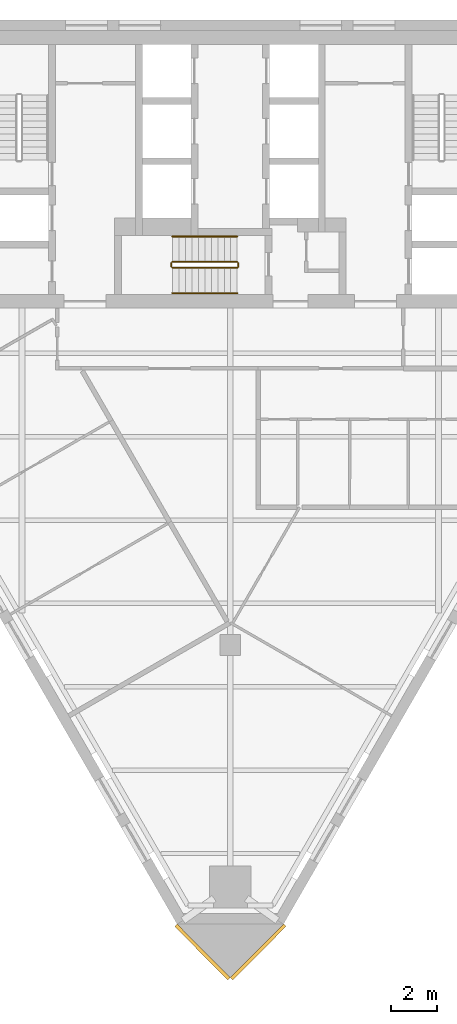
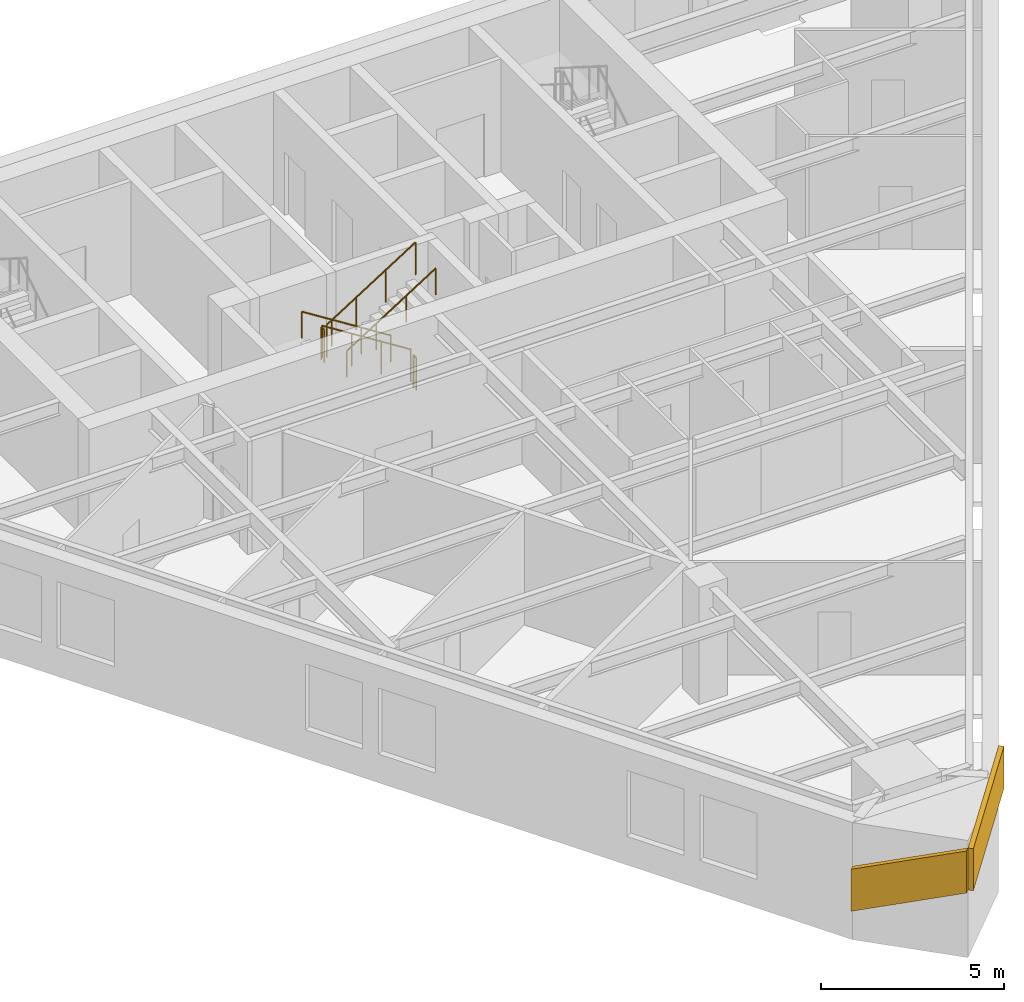
# One storey, part 6 of 7: 6 railings, 2 coverings.
"""IFC4 building model written with IfcOpenShell, lengths in metres."""

from ifc_helpers import new_model, si_unit, direction, frame, origin, origin_2d, place, context, subcontext, project, spatial, polyline, circle, outline, extrude, material, layer, layer_set, type_object, element, save


model = new_model("IFC4")

# Units and contexts
model_context = context("Model", 3, precision=1e-05, world=origin(), true_north=direction((0.0, 1.0)))
body_context = subcontext(model_context, "Body", "Model", "MODEL_VIEW")
ifc_project = project(units=[si_unit("LENGTHUNIT", "METRE"), si_unit("AREAUNIT", "SQUARE_METRE"), si_unit("VOLUMEUNIT", "CUBIC_METRE"), si_unit("PLANEANGLEUNIT", "RADIAN"), si_unit("MASSUNIT", "GRAM", prefix="KILO")], contexts=[model_context])

# Site, building, storey
site_placement = place(None, origin())
site = spatial("IfcSite", under=ifc_project, at=site_placement, CompositionType="ELEMENT")
building_placement = place(site_placement, origin())
building = spatial("IfcBuilding", under=site, at=building_placement, Name="Aloe Facet Convention Tower", CompositionType="ELEMENT")
storey_placement = place(building_placement, frame((0.0, 0.0, 155.89990234375)))
storey = spatial("IfcBuildingStorey", under=building, at=storey_placement, Name="L39", CompositionType="ELEMENT", Elevation=155.89990234375)

# Railings
ifc_material_1 = material(Name="Steel S355 balustrade", Category="steel")
railing_type_1 = type_object("IfcRailingType", Name="CR-RL-GUARD", PredefinedType="GUARDRAIL", material=ifc_material_1)
railing_1_placement = place(storey_placement, frame((80.300048828125, 124.550048828125, 0.177490234375)))
element("IfcRailing", 1, at=railing_1_placement, inside=storey, type_object=railing_type_1, Name="L39 ST3 stair guard 1", PredefinedType="GUARDRAIL", context=body_context, shape_type="SweptSolid", body=[
    extrude(circle(Radius=0.02392578125, at=origin_2d()), frame((0.0, 0.0, 1.076171875), z_axis=(-0.844908973607, 0.0, 0.534910110503), x_axis=(0.0, -1.0, 0.0)), (0.0, 0.0, 1.0), 3.31396484375),
    extrude(circle(Radius=0.02099609375, at=origin_2d()), origin(), (0.0, 0.0, 1.0), 1.052001953125),
    extrude(circle(Radius=0.02099609375, at=origin_2d()), frame((-0.933349609375, 0.0, 0.5908203125)), (0.0, 0.0, 1.0), 1.052001953125),
    extrude(circle(Radius=0.02099609375, at=origin_2d()), frame((-1.86669921875, 0.0, 1.181884765625)), (0.0, 0.0, 1.0), 1.052001953125),
    extrude(circle(Radius=0.02099609375, at=origin_2d()), frame((-2.800048828125, 0.0, 1.772705078125)), (0.0, 0.0, 1.0), 1.052001953125),
])
railing_2_placement = place(storey_placement, frame((77.449951171875, 124.5, 1.9501953125)))
element("IfcRailing", 2, at=railing_2_placement, inside=storey, type_object=railing_type_1, Name="L39 ST3 stair guard 2", PredefinedType="GUARDRAIL", context=body_context, shape_type="SweptSolid", body=[
    extrude(circle(Radius=0.02392578125, at=origin_2d()), frame((0.0, 0.0, 1.076171875), z_axis=(0.0, -1.0, 0.0), x_axis=(1.0, 0.0, 0.0)), (0.0, 0.0, 1.0), 0.14990234375),
    extrude(circle(Radius=0.02099609375, at=origin_2d()), origin(), (0.0, 0.0, 1.0), 1.052001953125),
    extrude(circle(Radius=0.02099609375, at=origin_2d()), frame((0.0, -0.14990234375, 0.0)), (0.0, 0.0, 1.0), 1.052001953125),
])
railing_3_placement = place(storey_placement, frame((77.5, 124.300048828125, 2.12744140625)))
element("IfcRailing", 3, at=railing_3_placement, inside=storey, type_object=railing_type_1, Name="L39 ST3 stair guard 3", PredefinedType="GUARDRAIL", context=body_context, shape_type="SweptSolid", body=[
    extrude(circle(Radius=0.02392578125, at=origin_2d()), frame((0.0, 0.0, 1.076171875), z_axis=(0.844908973607, 0.0, 0.534910110503), x_axis=(0.0, 1.0, 0.0)), (0.0, 0.0, 1.0), 3.31396484375),
    extrude(circle(Radius=0.02099609375, at=origin_2d()), origin(), (0.0, 0.0, 1.0), 1.052001953125),
    extrude(circle(Radius=0.02099609375, at=origin_2d()), frame((0.933349609375, 0.0, 0.5908203125)), (0.0, 0.0, 1.0), 1.052001953125),
    extrude(circle(Radius=0.02099609375, at=origin_2d()), frame((1.86669921875, 0.0, 1.181884765625)), (0.0, 0.0, 1.0), 1.052001953125),
    extrude(circle(Radius=0.02099609375, at=origin_2d()), frame((2.800048828125, 0.0, 1.772705078125)), (0.0, 0.0, 1.0), 1.052001953125),
])
railing_4_placement = place(storey_placement, frame((80.35009765625, 124.5, 0.0)))
element("IfcRailing", 4, at=railing_4_placement, inside=storey, type_object=railing_type_1, Name="L39 ST3 stair guard 4", PredefinedType="GUARDRAIL", context=body_context, shape_type="SweptSolid", body=[
    extrude(circle(Radius=0.02392578125, at=origin_2d()), frame((0.0, 0.0, 1.076171875), z_axis=(0.0, -1.0, 0.0), x_axis=(1.0, 0.0, 0.0)), (0.0, 0.0, 1.0), 0.14990234375),
    extrude(circle(Radius=0.02099609375, at=origin_2d()), origin(), (0.0, 0.0, 1.0), 1.052001953125),
    extrude(circle(Radius=0.02099609375, at=origin_2d()), frame((0.0, -0.14990234375, 0.0)), (0.0, 0.0, 1.0), 1.052001953125),
])
ifc_material_2 = material(Name="Steel S355 handrail", Category="steel")
railing_type_2 = type_object("IfcRailingType", Name="CR-RL-HAND", PredefinedType="HANDRAIL", material=ifc_material_2)
railing_5_placement = place(storey_placement, frame((80.300048828125, 125.64990234375, 0.177490234375)))
element("IfcRailing", 5, at=railing_5_placement, inside=storey, type_object=railing_type_2, Name="L39 ST3 stair handrail 1", PredefinedType="HANDRAIL", context=body_context, shape_type="SweptSolid", body=[
    extrude(circle(Radius=0.02392578125, at=origin_2d()), frame((0.0, 0.0, 0.8759765625), z_axis=(-0.844908973607, 0.0, 0.534910110503), x_axis=(0.0, -1.0, 0.0)), (0.0, 0.0, 1.0), 3.31396484375),
    extrude(circle(Radius=0.02099609375, at=origin_2d()), origin(), (0.0, 0.0, 1.0), 0.851806640625),
    extrude(circle(Radius=0.02099609375, at=origin_2d()), frame((-0.933349609375, 0.0, 0.5908203125)), (0.0, 0.0, 1.0), 0.851806640625),
    extrude(circle(Radius=0.02099609375, at=origin_2d()), frame((-1.86669921875, 0.0, 1.181884765625)), (0.0, 0.0, 1.0), 0.851806640625),
    extrude(circle(Radius=0.02099609375, at=origin_2d()), frame((-2.800048828125, 0.0, 1.772705078125)), (0.0, 0.0, 1.0), 0.851806640625),
])
railing_6_placement = place(storey_placement, frame((77.5, 123.199951171875, 2.12744140625)))
element("IfcRailing", 6, at=railing_6_placement, inside=storey, type_object=railing_type_2, Name="L39 ST3 stair handrail 2", PredefinedType="HANDRAIL", context=body_context, shape_type="SweptSolid", body=[
    extrude(circle(Radius=0.02392578125, at=origin_2d()), frame((0.0, 0.0, 0.8759765625), z_axis=(0.844908973607, 0.0, 0.534910110503), x_axis=(0.0, 1.0, 0.0)), (0.0, 0.0, 1.0), 3.31396484375),
    extrude(circle(Radius=0.02099609375, at=origin_2d()), origin(), (0.0, 0.0, 1.0), 0.851806640625),
    extrude(circle(Radius=0.02099609375, at=origin_2d()), frame((0.933349609375, 0.0, 0.5908203125)), (0.0, 0.0, 1.0), 0.851806640625),
    extrude(circle(Radius=0.02099609375, at=origin_2d()), frame((1.86669921875, 0.0, 1.181884765625)), (0.0, 0.0, 1.0), 0.851806640625),
    extrude(circle(Radius=0.02099609375, at=origin_2d()), frame((2.800048828125, 0.0, 1.772705078125)), (0.0, 0.0, 1.0), 0.851806640625),
])

# Coverings
ifc_material_3 = material(Name="Bronze oxide fascia sheet")
ifc_layer = layer(ifc_material_3, 0.14990234375)
ifc_layer_set = layer_set([ifc_layer], Name="EV-FASCIA-TERR")
covering_type = type_object("IfcCoveringType", Name="EV-FASCIA-TERR", PredefinedType="CLADDING", material=ifc_layer_set)
covering_1_placement = place(storey_placement, frame((77.59375, 95.848388671875, 0.89697265625), z_axis=(-0.709124831626, -0.705082954815, 0.0), x_axis=(0.661354908707, -0.66514611519, 0.346684770615)))
element("IfcCovering", 7, at=covering_1_placement, inside=storey, type_object=covering_type, Name="Spiral ribbon zone 3 part 7 over the corner spine", PredefinedType="CLADDING", context=body_context, shape_type="SweptSolid", body=[
    extrude(outline(polyline([(0.0, 0.0), (3.477413801911608, 0.0), (3.962738624838316, 1.3130827804399479), (0.48540946276328356, 1.313311779878462), (0.0, 0.0)])), origin(), (0.0, 0.0, -1.0), 0.14990234375),
])
covering_2_placement = place(storey_placement, frame((80.1064453125, 93.535400390625, 2.1025390625), z_axis=(0.709124831626, -0.705082954815, 0.0), x_axis=(0.661371004964, 0.665162303719, 0.346622999099)))
element("IfcCovering", 8, at=covering_2_placement, inside=storey, type_object=covering_type, Name="Spiral ribbon zone 3 part 8 over the corner spine", PredefinedType="CLADDING", context=body_context, shape_type="SweptSolid", body=[
    extrude(outline(polyline([(0.0, 0.0), (3.477329169615408, 0.0), (3.9626521432067765, 1.3133437436604725), (0.4852383488357291, 1.3131147386485003), (0.0, 0.0)])), origin(), (0.0, 0.0, -1.0), 0.14990234375),
])

save(model, "model.ifc")
